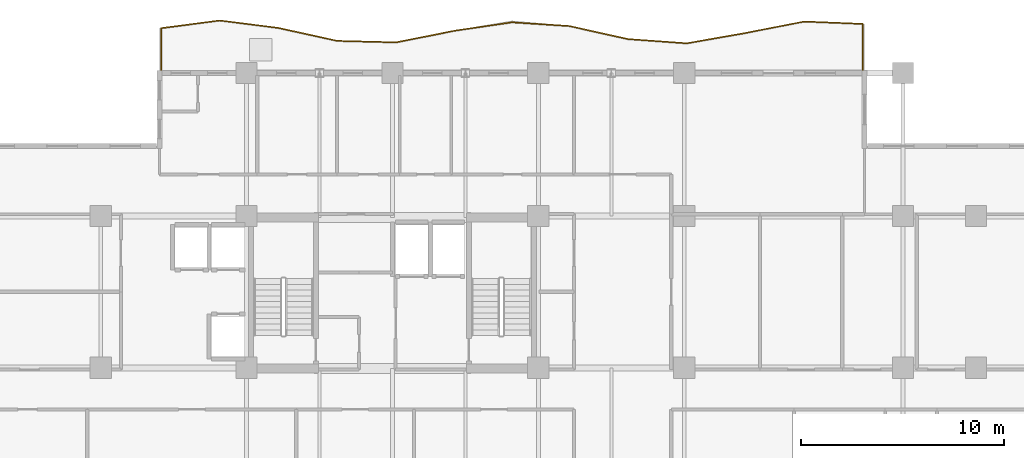
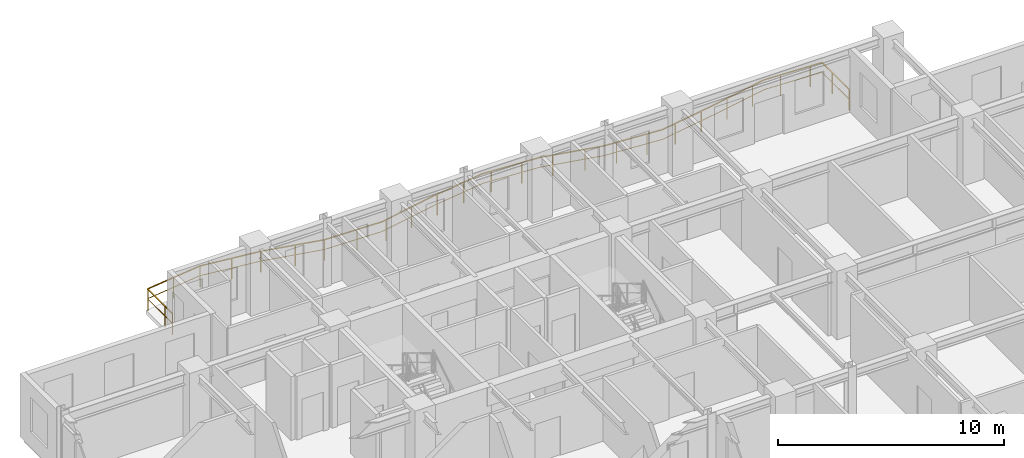
# One storey, part 13 of 13: 1 railing.
"""IFC4 building model written with IfcOpenShell, lengths in metres."""

from ifc_helpers import new_model, si_unit, direction, frame, origin, origin_2d, place, context, subcontext, project, spatial, rectangle, extrude, material, type_object, element, save


model = new_model("IFC4")

# Units and contexts
model_context = context("Model", 3, precision=1e-05, world=origin(), true_north=direction((0.0, 1.0)))
body_context = subcontext(model_context, "Body", "Model", "MODEL_VIEW")
ifc_project = project(units=[si_unit("LENGTHUNIT", "METRE"), si_unit("AREAUNIT", "SQUARE_METRE"), si_unit("VOLUMEUNIT", "CUBIC_METRE"), si_unit("PLANEANGLEUNIT", "RADIAN"), si_unit("MASSUNIT", "GRAM", prefix="KILO")], contexts=[model_context])

# Site, building, storey
site_placement = place(None, origin())
site = spatial("IfcSite", under=ifc_project, at=site_placement, CompositionType="ELEMENT")
building_placement = place(site_placement, origin())
building = spatial("IfcBuilding", under=site, at=building_placement, Name="Kaliganga Portal Commons", CompositionType="ELEMENT")
storey_placement = place(building_placement, frame((0.0, 0.0, 177.199951171875)))
storey = spatial("IfcBuildingStorey", under=building, at=storey_placement, Name="L45", CompositionType="ELEMENT", Elevation=177.199951171875)

# Railing
ifc_material = material(Name="Laminated Safety Glass and Stainless Steel 316", Category="steel")
railing_type = type_object("IfcRailingType", Name="RLG-BAL-1150", PredefinedType="BALUSTRADE", material=ifc_material)
railing_placement = place(storey_placement, frame((44.8203125, 43.208251953125, 0.0)))
element("IfcRailing", 1, at=railing_placement, inside=storey, type_object=railing_type, Name="Balcony Guardrail L45 balc_north", PredefinedType="BALUSTRADE", context=body_context, shape_type="SweptSolid", body=[
    extrude(rectangle(XDim=0.048095703125, YDim=0.048095703125, at=origin_2d()), frame((0.0, 0.0, 1.1259765625), z_axis=(-0.000100908173, 0.999999994909, 0.0), x_axis=(-0.999999994909, -0.000100908173, 0.0)), (0.0, 0.0, 1.0), 2.41943359375),
    extrude(rectangle(XDim=0.028076171875, YDim=0.028076171875, at=origin_2d()), frame((0.0, 0.0, 0.597900390625), z_axis=(-0.000100908173, 0.999999994909, 0.0), x_axis=(-0.999999994909, -0.000100908173, 0.0)), (0.0, 0.0, 1.0), 2.41943359375),
    extrude(rectangle(XDim=0.048095703125, YDim=0.048095703125, at=origin_2d()), frame((-0.000244140625, 2.41943359375, 1.1259765625), z_axis=(-0.999204716953, 0.039873971699, 0.0), x_axis=(-0.039873971699, -0.999204716953, 0.0)), (0.0, 0.0, 1.0), 2.902099609375),
    extrude(rectangle(XDim=0.028076171875, YDim=0.028076171875, at=origin_2d()), frame((-0.000244140625, 2.41943359375, 0.597900390625), z_axis=(-0.999204716953, 0.039873971699, 0.0), x_axis=(-0.039873971699, -0.999204716953, 0.0)), (0.0, 0.0, 1.0), 2.902099609375),
    extrude(rectangle(XDim=0.048095703125, YDim=0.048095703125, at=origin_2d()), frame((-2.900146484375, 2.53515625, 1.1259765625), z_axis=(-0.981519369973, -0.19136281344, 0.0), x_axis=(0.19136281344, -0.981519369973, 0.0)), (0.0, 0.0, 1.0), 2.954833984375),
    extrude(rectangle(XDim=0.028076171875, YDim=0.028076171875, at=origin_2d()), frame((-2.900146484375, 2.53515625, 0.597900390625), z_axis=(-0.981519369973, -0.19136281344, 0.0), x_axis=(0.19136281344, -0.981519369973, 0.0)), (0.0, 0.0, 1.0), 2.954833984375),
    extrude(rectangle(XDim=0.048095703125, YDim=0.048095703125, at=origin_2d()), frame((-5.80029296875, 1.9697265625, 1.1259765625), z_axis=(-0.984955043748, -0.172810768747, 0.0), x_axis=(0.172810768747, -0.984955043748, 0.0)), (0.0, 0.0, 1.0), 2.944091796875),
    extrude(rectangle(XDim=0.028076171875, YDim=0.028076171875, at=origin_2d()), frame((-5.80029296875, 1.9697265625, 0.597900390625), z_axis=(-0.984955043748, -0.172810768747, 0.0), x_axis=(0.172810768747, -0.984955043748, 0.0)), (0.0, 0.0, 1.0), 2.944091796875),
    extrude(rectangle(XDim=0.048095703125, YDim=0.048095703125, at=origin_2d()), frame((-8.7001953125, 1.4609375, 1.1259765625), z_axis=(-0.99740772775, 0.071957102675, 0.0), x_axis=(-0.071957102675, -0.99740772775, 0.0)), (0.0, 0.0, 1.0), 2.90771484375),
    extrude(rectangle(XDim=0.028076171875, YDim=0.028076171875, at=origin_2d()), frame((-8.7001953125, 1.4609375, 0.597900390625), z_axis=(-0.99740772775, 0.071957102675, 0.0), x_axis=(-0.071957102675, -0.99740772775, 0.0)), (0.0, 0.0, 1.0), 2.90771484375),
    extrude(rectangle(XDim=0.048095703125, YDim=0.048095703125, at=origin_2d()), frame((-11.600341796875, 1.670166015625, 1.1259765625), z_axis=(-0.97619479789, 0.216895635209, 0.0), x_axis=(-0.216895635209, -0.97619479789, 0.0)), (0.0, 0.0, 1.0), 2.969482421875),
    extrude(rectangle(XDim=0.028076171875, YDim=0.028076171875, at=origin_2d()), frame((-11.600341796875, 1.670166015625, 0.597900390625), z_axis=(-0.97619479789, 0.216895635209, 0.0), x_axis=(-0.216895635209, -0.97619479789, 0.0)), (0.0, 0.0, 1.0), 2.969482421875),
    extrude(rectangle(XDim=0.048095703125, YDim=0.048095703125, at=origin_2d()), frame((-14.4990234375, 2.314208984375, 1.1259765625), z_axis=(-0.997889360967, 0.064937071603, 0.0), x_axis=(-0.064937071603, -0.997889360967, 0.0)), (0.0, 0.0, 1.0), 2.8271484375),
    extrude(rectangle(XDim=0.028076171875, YDim=0.028076171875, at=origin_2d()), frame((-14.4990234375, 2.314208984375, 0.597900390625), z_axis=(-0.997889360967, 0.064937071603, 0.0), x_axis=(-0.064937071603, -0.997889360967, 0.0)), (0.0, 0.0, 1.0), 2.8271484375),
    extrude(rectangle(XDim=0.048095703125, YDim=0.048095703125, at=origin_2d()), frame((-17.3203125, 2.497802734375, 1.1259765625), z_axis=(-0.989406222497, -0.145173437252, 0.0), x_axis=(0.145173437252, -0.989406222497, 0.0)), (0.0, 0.0, 1.0), 2.8505859375),
    extrude(rectangle(XDim=0.028076171875, YDim=0.028076171875, at=origin_2d()), frame((-17.3203125, 2.497802734375, 0.597900390625), z_axis=(-0.989406222497, -0.145173437252, 0.0), x_axis=(0.145173437252, -0.989406222497, 0.0)), (0.0, 0.0, 1.0), 2.8505859375),
    extrude(rectangle(XDim=0.048095703125, YDim=0.048095703125, at=origin_2d()), frame((-20.140625, 2.083984375, 1.1259765625), z_axis=(-0.98081183238, -0.194956788706, 0.0), x_axis=(0.194956788706, -0.98081183238, 0.0)), (0.0, 0.0, 1.0), 2.95654296875),
    extrude(rectangle(XDim=0.028076171875, YDim=0.028076171875, at=origin_2d()), frame((-20.140625, 2.083984375, 0.597900390625), z_axis=(-0.98081183238, -0.194956788706, 0.0), x_axis=(0.194956788706, -0.98081183238, 0.0)), (0.0, 0.0, 1.0), 2.95654296875),
    extrude(rectangle(XDim=0.048095703125, YDim=0.048095703125, at=origin_2d()), frame((-23.04052734375, 1.507568359375, 1.1259765625), z_axis=(-0.999676937349, 0.025416941832, 0.0), x_axis=(-0.025416941832, -0.999676937349, 0.0)), (0.0, 0.0, 1.0), 2.90087890625),
    extrude(rectangle(XDim=0.028076171875, YDim=0.028076171875, at=origin_2d()), frame((-23.04052734375, 1.507568359375, 0.597900390625), z_axis=(-0.999676937349, 0.025416941832, 0.0), x_axis=(-0.025416941832, -0.999676937349, 0.0)), (0.0, 0.0, 1.0), 2.90087890625),
    extrude(rectangle(XDim=0.048095703125, YDim=0.048095703125, at=origin_2d()), frame((-25.9404296875, 1.581298828125, 1.1259765625), z_axis=(-0.976750643152, 0.214378592919, 0.0), x_axis=(-0.214378592919, -0.976750643152, 0.0)), (0.0, 0.0, 1.0), 2.968994140625),
    extrude(rectangle(XDim=0.028076171875, YDim=0.028076171875, at=origin_2d()), frame((-25.9404296875, 1.581298828125, 0.597900390625), z_axis=(-0.976750643152, 0.214378592919, 0.0), x_axis=(-0.214378592919, -0.976750643152, 0.0)), (0.0, 0.0, 1.0), 2.968994140625),
    extrude(rectangle(XDim=0.048095703125, YDim=0.048095703125, at=origin_2d()), frame((-28.84033203125, 2.2177734375, 1.1259765625), z_axis=(-0.991975647799, 0.12642908753, 0.0), x_axis=(-0.12642908753, -0.991975647799, 0.0)), (0.0, 0.0, 1.0), 2.923583984375),
    extrude(rectangle(XDim=0.028076171875, YDim=0.028076171875, at=origin_2d()), frame((-28.84033203125, 2.2177734375, 0.597900390625), z_axis=(-0.991975647799, 0.12642908753, 0.0), x_axis=(-0.12642908753, -0.991975647799, 0.0)), (0.0, 0.0, 1.0), 2.923583984375),
    extrude(rectangle(XDim=0.048095703125, YDim=0.048095703125, at=origin_2d()), frame((-31.740478515625, 2.58740234375, 1.1259765625), z_axis=(-0.991517820965, -0.129970807143, 0.0), x_axis=(0.129970807143, -0.991517820965, 0.0)), (0.0, 0.0, 1.0), 2.9248046875),
    extrude(rectangle(XDim=0.028076171875, YDim=0.028076171875, at=origin_2d()), frame((-31.740478515625, 2.58740234375, 0.597900390625), z_axis=(-0.991517820965, -0.129970807143, 0.0), x_axis=(0.129970807143, -0.991517820965, 0.0)), (0.0, 0.0, 1.0), 2.9248046875),
    extrude(rectangle(XDim=0.048095703125, YDim=0.048095703125, at=origin_2d()), frame((-34.640380859375, 2.207275390625, 1.1259765625), z_axis=(-0.000110607233, -0.999999993883, 0.0), x_axis=(0.999999993883, -0.000110607233, 0.0)), (0.0, 0.0, 1.0), 2.207275390625),
    extrude(rectangle(XDim=0.028076171875, YDim=0.028076171875, at=origin_2d()), frame((-34.640380859375, 2.207275390625, 0.597900390625), z_axis=(-0.000110607233, -0.999999993883, 0.0), x_axis=(0.999999993883, -0.000110607233, 0.0)), (0.0, 0.0, 1.0), 2.207275390625),
    extrude(rectangle(XDim=0.0419921875, YDim=0.0419921875, at=origin_2d()), origin(), (0.0, 0.0, 1.0), 1.101806640625),
    extrude(rectangle(XDim=0.0419921875, YDim=0.0419921875, at=origin_2d()), frame((-0.000244140625, 1.5, 0.0)), (0.0, 0.0, 1.0), 1.101806640625),
    extrude(rectangle(XDim=0.0419921875, YDim=0.0419921875, at=origin_2d()), frame((-0.580322265625, 2.442626953125, 0.0)), (0.0, 0.0, 1.0), 1.101806640625),
    extrude(rectangle(XDim=0.0419921875, YDim=0.0419921875, at=origin_2d()), frame((-2.0791015625, 2.50244140625, 0.0)), (0.0, 0.0, 1.0), 1.101806640625),
    extrude(rectangle(XDim=0.0419921875, YDim=0.0419921875, at=origin_2d()), frame((-3.56591796875, 2.4052734375, 0.0)), (0.0, 0.0, 1.0), 1.101806640625),
    extrude(rectangle(XDim=0.0419921875, YDim=0.0419921875, at=origin_2d()), frame((-5.038330078125, 2.118408203125, 0.0)), (0.0, 0.0, 1.0), 1.101806640625),
    extrude(rectangle(XDim=0.0419921875, YDim=0.0419921875, at=origin_2d()), frame((-6.512939453125, 1.8447265625, 0.0)), (0.0, 0.0, 1.0), 1.101806640625),
    extrude(rectangle(XDim=0.0419921875, YDim=0.0419921875, at=origin_2d()), frame((-7.990478515625, 1.58544921875, 0.0)), (0.0, 0.0, 1.0), 1.101806640625),
    extrude(rectangle(XDim=0.0419921875, YDim=0.0419921875, at=origin_2d()), frame((-9.4775390625, 1.51708984375, 0.0)), (0.0, 0.0, 1.0), 1.101806640625),
    extrude(rectangle(XDim=0.0419921875, YDim=0.0419921875, at=origin_2d()), frame((-10.9736328125, 1.625, 0.0)), (0.0, 0.0, 1.0), 1.101806640625),
    extrude(rectangle(XDim=0.0419921875, YDim=0.0419921875, at=origin_2d()), frame((-12.451416015625, 1.859130859375, 0.0)), (0.0, 0.0, 1.0), 1.101806640625),
    extrude(rectangle(XDim=0.0419921875, YDim=0.0419921875, at=origin_2d()), frame((-13.91552734375, 2.1845703125, 0.0)), (0.0, 0.0, 1.0), 1.101806640625),
    extrude(rectangle(XDim=0.0419921875, YDim=0.0419921875, at=origin_2d()), frame((-15.3994140625, 2.372802734375, 0.0)), (0.0, 0.0, 1.0), 1.101806640625),
    extrude(rectangle(XDim=0.0419921875, YDim=0.0419921875, at=origin_2d()), frame((-16.896240234375, 2.47021484375, 0.0)), (0.0, 0.0, 1.0), 1.101806640625),
    extrude(rectangle(XDim=0.0419921875, YDim=0.0419921875, at=origin_2d()), frame((-18.384033203125, 2.341796875, 0.0)), (0.0, 0.0, 1.0), 1.101806640625),
    extrude(rectangle(XDim=0.0419921875, YDim=0.0419921875, at=origin_2d()), frame((-19.8681640625, 2.1240234375, 0.0)), (0.0, 0.0, 1.0), 1.101806640625),
    extrude(rectangle(XDim=0.0419921875, YDim=0.0419921875, at=origin_2d()), frame((-21.341796875, 1.84521484375, 0.0)), (0.0, 0.0, 1.0), 1.101806640625),
    extrude(rectangle(XDim=0.0419921875, YDim=0.0419921875, at=origin_2d()), frame((-22.81298828125, 1.552734375, 0.0)), (0.0, 0.0, 1.0), 1.101806640625),
    extrude(rectangle(XDim=0.0419921875, YDim=0.0419921875, at=origin_2d()), frame((-24.30810546875, 1.539794921875, 0.0)), (0.0, 0.0, 1.0), 1.101806640625),
    extrude(rectangle(XDim=0.0419921875, YDim=0.0419921875, at=origin_2d()), frame((-25.9404296875, 1.581298828125, 0.0)), (0.0, 0.0, 1.0), 1.101806640625),
    extrude(rectangle(XDim=0.0419921875, YDim=0.0419921875, at=origin_2d()), frame((-27.27587890625, 1.874267578125, 0.0)), (0.0, 0.0, 1.0), 1.101806640625),
    extrude(rectangle(XDim=0.0419921875, YDim=0.0419921875, at=origin_2d()), frame((-28.84033203125, 2.2177734375, 0.0)), (0.0, 0.0, 1.0), 1.101806640625),
    extrude(rectangle(XDim=0.0419921875, YDim=0.0419921875, at=origin_2d()), frame((-30.227294921875, 2.39453125, 0.0)), (0.0, 0.0, 1.0), 1.101806640625),
    extrude(rectangle(XDim=0.0419921875, YDim=0.0419921875, at=origin_2d()), frame((-31.740478515625, 2.58740234375, 0.0)), (0.0, 0.0, 1.0), 1.101806640625),
    extrude(rectangle(XDim=0.0419921875, YDim=0.0419921875, at=origin_2d()), frame((-33.20263671875, 2.395751953125, 0.0)), (0.0, 0.0, 1.0), 1.101806640625),
    extrude(rectangle(XDim=0.0419921875, YDim=0.0419921875, at=origin_2d()), frame((-34.640380859375, 2.157470703125, 0.0)), (0.0, 0.0, 1.0), 1.101806640625),
    extrude(rectangle(XDim=0.0419921875, YDim=0.0419921875, at=origin_2d()), frame((-34.640625, 0.657470703125, 0.0)), (0.0, 0.0, 1.0), 1.101806640625),
    extrude(rectangle(XDim=0.0419921875, YDim=0.0419921875, at=origin_2d()), frame((-34.640625, 0.0, 0.0)), (0.0, 0.0, 1.0), 1.101806640625),
])

save(model, "model.ifc")
